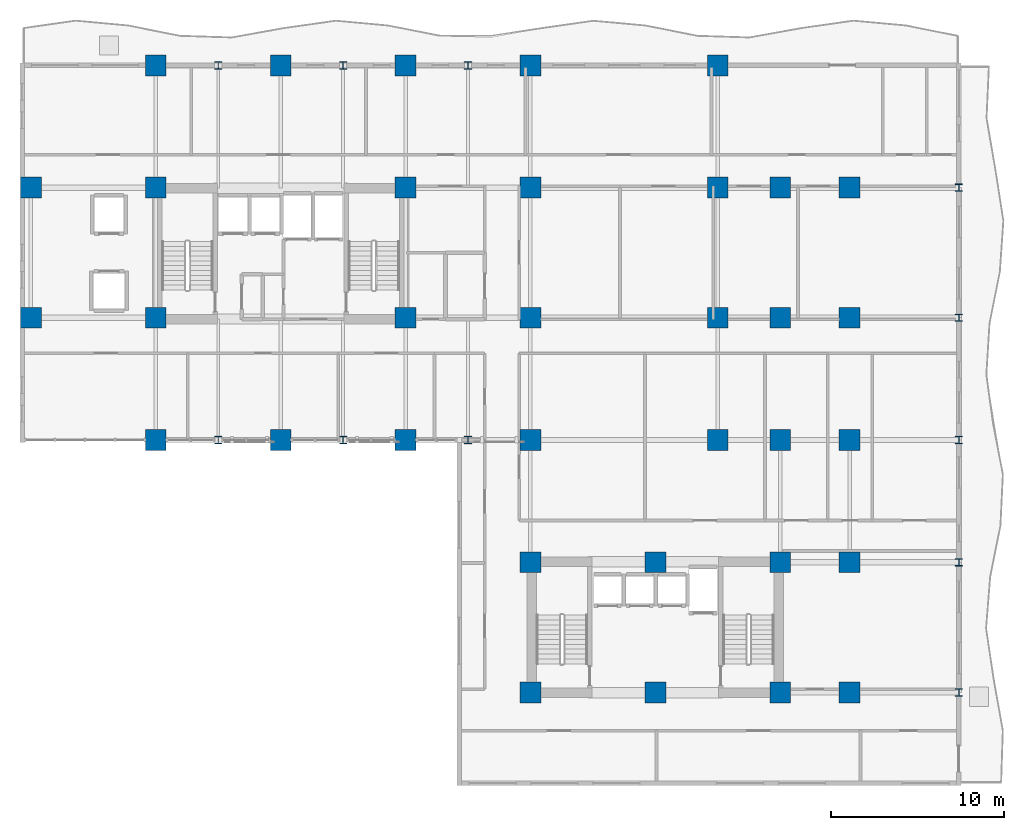
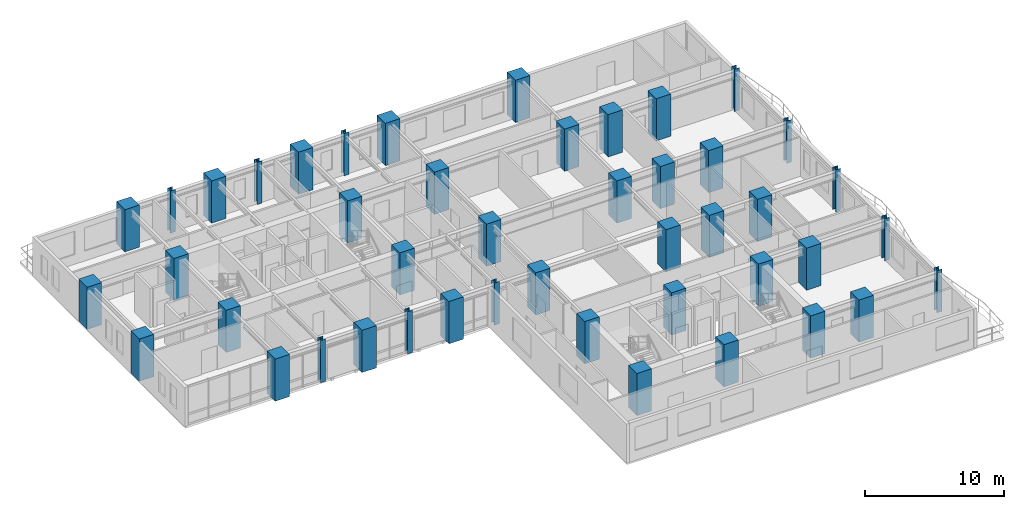
# One storey, part 1 of 16: 45 columns.
"""IFC4 building model written with IfcOpenShell, lengths in metres."""

from ifc_helpers import new_model, si_unit, direction, frame, origin, origin_2d, place, context, subcontext, project, spatial, rectangle, i_section, extrude, source, transform, mapped, material, material_profile, profile_set, type_object, element, save


model = new_model("IFC4")

# Units and contexts
model_context = context("Model", 3, precision=1e-05, world=origin(), true_north=direction((0.0, 1.0)))
body_context = subcontext(model_context, "Body", "Model", "MODEL_VIEW")
ifc_project = project(units=[si_unit("LENGTHUNIT", "METRE"), si_unit("AREAUNIT", "SQUARE_METRE"), si_unit("VOLUMEUNIT", "CUBIC_METRE"), si_unit("PLANEANGLEUNIT", "RADIAN"), si_unit("MASSUNIT", "GRAM", prefix="KILO")], contexts=[model_context])

# Site, building, storey
site_placement = place(None, origin())
site = spatial("IfcSite", under=ifc_project, at=site_placement, CompositionType="ELEMENT")
building_placement = place(site_placement, origin())
building = spatial("IfcBuilding", under=site, at=building_placement, Name="Kaliganga Portal Commons", CompositionType="ELEMENT")
storey_placement = place(building_placement, frame((0.0, 0.0, 82.300048828125)))
storey = spatial("IfcBuildingStorey", under=building, at=storey_placement, Name="L20", CompositionType="ELEMENT", Elevation=82.300048828125)

# Columns
ifc_material_1 = material(Name="Concrete C60/75", Category="concrete")
ifc_material_profile_1 = material_profile(ifc_material_1, rectangle(XDim=1.199951171875, YDim=1.199951171875, at=origin_2d()), Name="RC 1200x1200")
ifc_profile_set_1 = profile_set([ifc_material_profile_1], Name="Concrete C60/75")
column_type_1 = type_object("IfcColumnType", Name="COL-MEGA-Z2", PredefinedType="COLUMN", material=ifc_profile_set_1)
shared_shape_1 = source(origin(), body_context, "Body", "SweptSolid", [
    extrude(rectangle(XDim=1.199951171875, YDim=1.199951171875, at=origin_2d()), origin(), (0.0, 0.0, 1.0), 3.699951171875),
])
for number, where, z_axis, x_axis, name in (
    (1, (7.199951171875, 28.64990234375, 0.0), (0.0, 0.0, 1.0), (1.0, 0.0, 0.0), "Column MC-03 L20"),
    (2, (7.199951171875, 36.14990234375, 0.0), (0.0, 0.0, 1.0), (1.0, 0.0, 0.0), "Column MC-03 L20"),
    (3, (14.39990234375, 21.60009765625, 0.0), (0.0, 0.0, 1.0), (1.0, 0.0, 0.0), "Column MC-03 L20"),
    (4, (14.39990234375, 28.64990234375, 0.0), (0.0, 0.0, 1.0), (1.0, 0.0, 0.0), "Column MC-03 L20"),
    (5, (14.39990234375, 36.14990234375, 0.0), (0.0, 0.0, 1.0), (1.0, 0.0, 0.0), "Column MC-03 L20"),
    (6, (14.39990234375, 43.199951171875, 0.0), (0.0, 0.0, 1.0), (1.0, 0.0, 0.0), "Column MC-03 L20"),
    (7, (21.60009765625, 21.60009765625, 0.0), (0.0, 0.0, 1.0), (1.0, 0.0, 0.0), "Column MC-03 L20"),
    (8, (21.60009765625, 43.199951171875, 0.0), (0.0, 0.0, 1.0), (1.0, 0.0, 0.0), "Column MC-03 L20"),
    (9, (28.800048828125, 21.60009765625, 0.0), (0.0, 0.0, 1.0), (1.0, 0.0, 0.0), "Column MC-03 L20"),
    (10, (28.800048828125, 28.64990234375, 0.0), (0.0, 0.0, 1.0), (1.0, 0.0, 0.0), "Column MC-03 L20"),
    (11, (28.800048828125, 36.14990234375, 0.0), (0.0, 0.0, 1.0), (1.0, 0.0, 0.0), "Column MC-03 L20"),
    (12, (28.800048828125, 43.199951171875, 0.0), (0.0, 0.0, 1.0), (1.0, 0.0, 0.0), "Column MC-03 L20"),
    (13, (36.0, 21.60009765625, 0.0), (0.0, 0.0, 1.0), (1.0, 0.0, 0.0), "Column MC-03 L20"),
    (14, (36.0, 43.199951171875, 0.0), (0.0, 0.0, 1.0), (1.0, 0.0, 0.0), "Column MC-03 L20"),
    (15, (36.0, 28.64990234375, 0.0), (0.0, 0.0, 1.0), (1.0, 0.0, 0.0), "Column MC-03 L20"),
    (16, (36.0, 36.14990234375, 0.0), (0.0, 0.0, 1.0), (1.0, 0.0, 0.0), "Column MC-03 L20"),
    (17, (46.800048828125, 21.60009765625, 0.0), (0.0, 0.0, 1.0), (1.0, 0.0, 0.0), "Column MC-03 L20"),
    (18, (46.800048828125, 28.64990234375, 0.0), (0.0, 0.0, 1.0), (1.0, 0.0, 0.0), "Column MC-03 L20"),
    (19, (46.800048828125, 36.14990234375, 0.0), (0.0, 0.0, 1.0), (1.0, 0.0, 0.0), "Column MC-03 L20"),
    (20, (46.800048828125, 43.199951171875, 0.0), (0.0, 0.0, 1.0), (1.0, 0.0, 0.0), "Column MC-03 L20"),
    (21, (36.0, 7.050048828125, 0.0), (0.0, 0.0, 1.0), (1.0, 0.0, 0.0), "Column MC-03 L20"),
    (22, (36.0, 14.550048828125, 0.0), (0.0, 0.0, 1.0), (1.0, 0.0, 0.0), "Column MC-03 L20"),
    (23, (43.199951171875, 7.050048828125, 0.0), (0.0, 0.0, 1.0), (1.0, 0.0, 0.0), "Column MC-03 L20"),
    (24, (43.199951171875, 14.550048828125, 0.0), (0.0, 0.0, 1.0), (1.0, 0.0, 0.0), "Column MC-03 L20"),
    (25, (50.39990234375, 7.050048828125, 0.0), (0.0, 0.0, 1.0), (1.0, 0.0, 0.0), "Column MC-03 L20"),
    (26, (50.39990234375, 14.550048828125, 0.0), (0.0, 0.0, 1.0), (1.0, 0.0, 0.0), "Column MC-03 L20"),
    (27, (50.39990234375, 21.60009765625, 0.0), (0.0, 0.0, 1.0), (1.0, 0.0, 0.0), "Column MC-03 L20"),
    (28, (50.39990234375, 28.64990234375, 0.0), (0.0, 0.0, 1.0), (1.0, 0.0, 0.0), "Column MC-03 L20"),
    (29, (50.39990234375, 36.14990234375, 0.0), (0.0, 0.0, 1.0), (1.0, 0.0, 0.0), "Column MC-03 L20"),
    (30, (54.39990234375, 7.050048828125, 0.0), (0.0, 0.0, 1.0), (1.0, 0.0, 0.0), "Column MC-03 L20"),
    (31, (54.39990234375, 14.550048828125, 0.0), (0.0, 0.0, 1.0), (1.0, 0.0, 0.0), "Column MC-03 L20"),
    (32, (54.39990234375, 21.60009765625, 0.0), (0.0, 0.0, 1.0), (1.0, 0.0, 0.0), "Column MC-03 L20"),
    (33, (54.39990234375, 28.64990234375, 0.0), (0.0, 0.0, 1.0), (1.0, 0.0, 0.0), "Column MC-03 L20"),
    (34, (54.39990234375, 36.14990234375, 0.0), (0.0, 0.0, 1.0), (1.0, 0.0, 0.0), "Column MC-03 L20"),
):
    element("IfcColumn", number, at=place(storey_placement, frame(where, z_axis=z_axis, x_axis=x_axis)), inside=storey, type_object=column_type_1, Name=name, PredefinedType="COLUMN", context=body_context, shape_type="MappedRepresentation", body=[
        mapped(shared_shape_1, transform((0.0, 0.0, 0.0), x_axis=(1.0, 0.0, 0.0), y_axis=(0.0, 1.0, 0.0), z_axis=(0.0, 0.0, 1.0), scale=1.0)),
    ])
ifc_material_2 = material(Name="Structural steel S460M", Category="steel")
ifc_material_profile_2 = material_profile(ifc_material_2, i_section(OverallWidth=0.408935546875, OverallDepth=0.429931640625, WebThickness=0.0244140625, FlangeThickness=0.033447265625, FilletRadius=0.014892578125, at=origin_2d()), Name="HD 400x421")
ifc_profile_set_2 = profile_set([ifc_material_profile_2], Name="Structural steel S460M wide-flange")
column_type_2 = type_object("IfcColumnType", Name="COL-TUBE-B2", PredefinedType="COLUMN", material=ifc_profile_set_2)
shared_shape_2 = source(origin(), body_context, "Body", "SweptSolid", [
    extrude(i_section(OverallWidth=0.408935546875, OverallDepth=0.429931640625, WebThickness=0.0244140625, FlangeThickness=0.033447265625, FilletRadius=0.014892578125, at=origin_2d()), origin(), (0.0, 0.0, 1.0), 3.699951171875),
])
for number, where, z_axis, x_axis, name in (
    (35, (18.0, 21.60009765625, 0.0), (0.0, 0.0, 1.0), (1.0, 0.0, 0.0), "Column TC-02 L20"),
    (36, (18.0, 43.199951171875, 0.0), (0.0, 0.0, 1.0), (1.0, 0.0, 0.0), "Column TC-02 L20"),
    (37, (25.199951171875, 21.60009765625, 0.0), (0.0, 0.0, 1.0), (1.0, 0.0, 0.0), "Column TC-02 L20"),
    (38, (25.199951171875, 43.199951171875, 0.0), (0.0, 0.0, 1.0), (1.0, 0.0, 0.0), "Column TC-02 L20"),
    (39, (32.39990234375, 21.60009765625, 0.0), (0.0, 0.0, 1.0), (1.0, 0.0, 0.0), "Column TC-02 L20"),
    (40, (32.39990234375, 43.199951171875, 0.0), (0.0, 0.0, 1.0), (1.0, 0.0, 0.0), "Column TC-02 L20"),
    (41, (60.699951171875, 7.050048828125, 0.0), (0.0, 0.0, 1.0), (1.0, 0.0, 0.0), "Column TC-02 L20"),
    (42, (60.699951171875, 14.550048828125, 0.0), (0.0, 0.0, 1.0), (1.0, 0.0, 0.0), "Column TC-02 L20"),
    (43, (60.699951171875, 21.60009765625, 0.0), (0.0, 0.0, 1.0), (1.0, 0.0, 0.0), "Column TC-02 L20"),
    (44, (60.699951171875, 28.64990234375, 0.0), (0.0, 0.0, 1.0), (1.0, 0.0, 0.0), "Column TC-02 L20"),
    (45, (60.699951171875, 36.14990234375, 0.0), (0.0, 0.0, 1.0), (1.0, 0.0, 0.0), "Column TC-02 L20"),
):
    element("IfcColumn", number, at=place(storey_placement, frame(where, z_axis=z_axis, x_axis=x_axis)), inside=storey, type_object=column_type_2, Name=name, PredefinedType="COLUMN", context=body_context, shape_type="MappedRepresentation", body=[
        mapped(shared_shape_2, transform((0.0, 0.0, 0.0), x_axis=(1.0, 0.0, 0.0), y_axis=(0.0, 1.0, 0.0), z_axis=(0.0, 0.0, 1.0), scale=1.0)),
    ])

save(model, "model.ifc")
